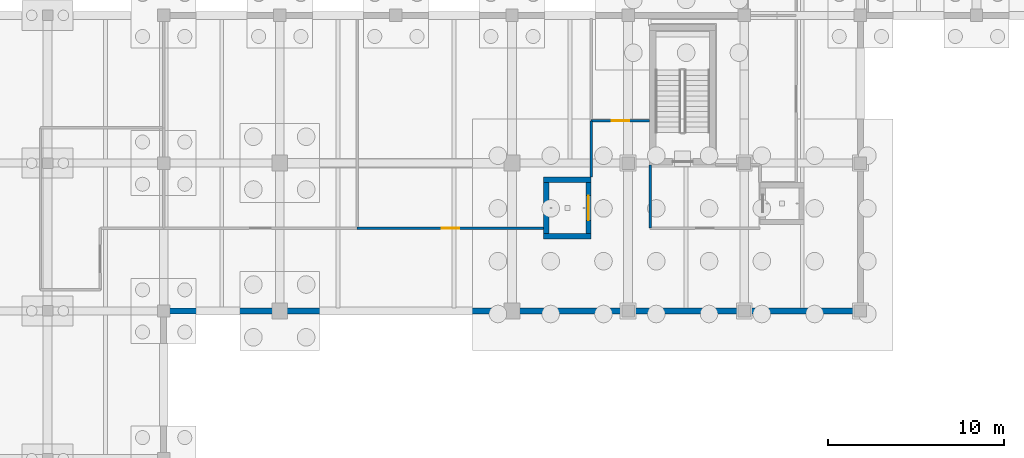
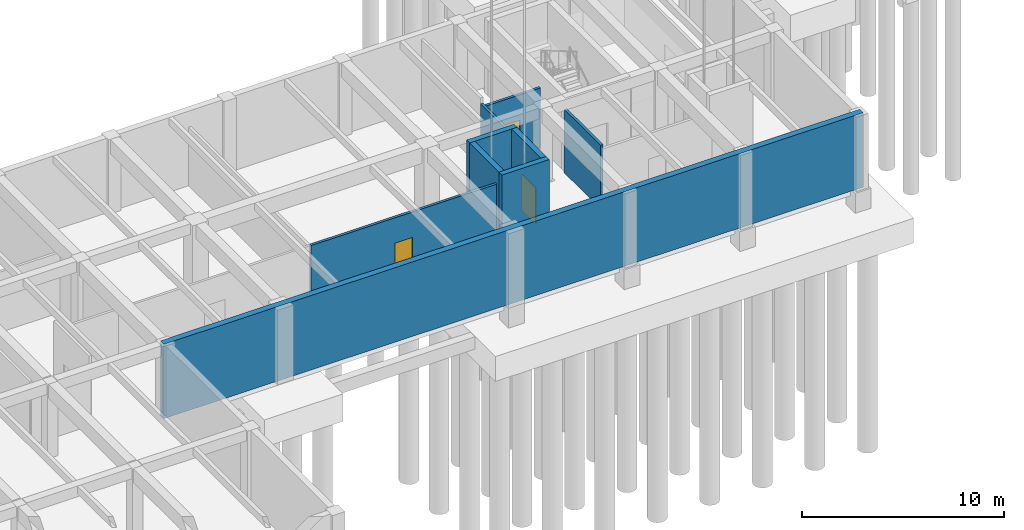
# One storey, part 34 of 44: 9 walls, 3 doors, 3 openings.
"""IFC4 building model written with IfcOpenShell, lengths in metres."""

from ifc_helpers import new_model, si_unit, direction, frame, frame_2d, origin, place, context, subcontext, project, spatial, rectangle, extrude, material, layer, layer_set, type_object, element, fill, save


model = new_model("IFC4")

# Units and contexts
model_context = context("Model", 3, precision=1e-05, world=origin(), true_north=direction((0.0, 1.0)))
body_context = subcontext(model_context, "Body", "Model", "MODEL_VIEW")
ifc_project = project(units=[si_unit("LENGTHUNIT", "METRE"), si_unit("AREAUNIT", "SQUARE_METRE"), si_unit("VOLUMEUNIT", "CUBIC_METRE"), si_unit("PLANEANGLEUNIT", "RADIAN"), si_unit("MASSUNIT", "GRAM", prefix="KILO")], contexts=[model_context])

# Site, building, storey
site_placement = place(None, origin())
site = spatial("IfcSite", under=ifc_project, at=site_placement, CompositionType="ELEMENT")
building_placement = place(site_placement, origin())
building = spatial("IfcBuilding", under=site, at=building_placement, Name="Kolvaren Faculty of Natural Sciences", CompositionType="ELEMENT")
storey_placement = place(building_placement, frame((0.0, 0.0, -4.5)))
storey = spatial("IfcBuildingStorey", under=building, at=storey_placement, Name="B01", CompositionType="ELEMENT", Elevation=-4.5)

# Walls
ifc_material_1 = material(Name="Concrete C35/45", Category="concrete")
ifc_layer_1 = layer(ifc_material_1, 0.35009765625)
ifc_layer_set_1 = layer_set([ifc_layer_1], Name="Concrete C35/45")
wall_type_1 = type_object("IfcWallType", Name="BasementRetainingWall_350", PredefinedType="SOLIDWALL", material=ifc_layer_set_1)
wall_1_placement = place(storey_placement, frame((99.02490234375, 25.39990234375, 0.0), z_axis=(0.0, 0.0, 1.0), x_axis=(1.0, 0.0, 0.0)))
element("IfcWall", 1, at=wall_1_placement, inside=storey, type_object=wall_type_1, Name="B01 perimeter reinforced concrete retaining wall 13", PredefinedType="SOLIDWALL", context=body_context, shape_type="SweptSolid", body=[
    extrude(rectangle(XDim=39.9501953125, YDim=0.35009765625, at=frame_2d((19.97509765625, 0.0))), origin(), (0.0, 0.0, 1.0), 4.5),
])
ifc_material_2 = material(Name="Double fire-rated gypsum board on 100 mm steel stud", Category="steel")
ifc_layer_2 = layer(ifc_material_2, 0.14990234375)
ifc_layer_set_2 = layer_set([ifc_layer_2], Name="Double fire-rated gypsum board on 100 mm steel stud")
wall_type_2 = type_object("IfcWallType", Name="RatedCorridorWall_150", PredefinedType="PARTITIONING", material=ifc_layer_set_2)
wall_2_placement = place(storey_placement, frame((126.85009765625, 30.10009765625, 0.0), z_axis=(0.0, 0.0, 1.0), x_axis=(0.0, 1.0, 0.0)))
element("IfcWall", 2, at=wall_2_placement, inside=storey, type_object=wall_type_2, Name="B01 interior partition LW-150", PredefinedType="PARTITIONING", context=body_context, shape_type="SweptSolid", body=[
    extrude(rectangle(XDim=3.597900390625, YDim=0.14990234375, at=frame_2d((1.798828125, 0.0))), origin(), (0.0, 0.0, 1.0), 3.8349609375),
])
wall_3_placement = place(storey_placement, frame((123.5, 36.199951171875, 0.0), z_axis=(0.0, 0.0, 1.0), x_axis=(0.0, -1.0, 0.0)))
element("IfcWall", 3, at=wall_3_placement, inside=storey, type_object=wall_type_2, Name="B01 interior partition LW-150", PredefinedType="PARTITIONING", context=body_context, shape_type="SweptSolid", body=[
    extrude(rectangle(XDim=3.197998046875, YDim=0.14990234375, at=frame_2d((1.59912109375, 0.0))), origin(), (0.0, 0.0, 1.0), 3.8349609375),
])

# Wall, opening, door
wall_4_placement = place(storey_placement, frame((120.798095703125, 30.10009765625, 0.0), z_axis=(0.0, 0.0, 1.0), x_axis=(-1.0, 0.0, 0.0)))
wall_4 = element("IfcWall", 4, at=wall_4_placement, inside=storey, type_object=wall_type_2, Name="B01 interior partition LW-150", PredefinedType="PARTITIONING", context=body_context, shape_type="SweptSolid", body=[
    extrude(rectangle(XDim=10.59814453125, YDim=0.14990234375, at=frame_2d((5.299072265625, 0.0))), origin(), (0.0, 0.0, 1.0), 3.635009765625),
])
opening_1_placement = place(wall_4_placement, frame((4.799072265625, 0.0, 0.0)))
opening_1 = element("IfcOpeningElement", 5, at=opening_1_placement, cuts=wall_4, Name="Opening FD30", PredefinedType="OPENING", context=body_context, shape_type="SweptSolid", body=[
    extrude(rectangle(XDim=1.0, YDim=2.10009765625, at=frame_2d((0.5, 1.050048828125))), frame((0.0, 0.0849609375, 0.0), z_axis=(0.0, -1.0, 0.0), x_axis=(1.0, 0.0, 0.0)), (0.0, 0.0, 1.0), 0.169921875),
])
ifc_material_3 = material(Name="Fire-rated solid-core hardwood door leaf in steel frame", Category="steel")
door_type_1 = type_object("IfcDoorType", Name="CorridorFireDoor_1000x2100", OperationType="NOTDEFINED", PredefinedType="DOOR", material=ifc_material_3)
door_1_placement = place(opening_1_placement, origin())
door_1 = element("IfcDoor", 6, at=door_1_placement, inside=storey, type_object=door_type_1, Name="D-B01-0005", OperationType="SINGLE_SWING_LEFT", OverallHeight=2.10009765625, OverallWidth=1.0, PredefinedType="DOOR", context=body_context, shape_type="SweptSolid", body=[
    extrude(rectangle(XDim=1.0, YDim=2.10009765625, at=frame_2d((0.5, 1.050048828125))), frame((0.0, 0.02490234375, 0.0), z_axis=(0.0, -1.0, 0.0), x_axis=(1.0, 0.0, 0.0)), (0.0, 0.0, 1.0), 0.050048828125),
])
fill(opening_1, door_1)

wall_5_placement = place(storey_placement, frame((126.822998046875, 36.199951171875, 0.0), z_axis=(0.0, 0.0, 1.0), x_axis=(-1.0, 0.0, 0.0)))
wall_5 = element("IfcWall", 7, at=wall_5_placement, inside=storey, type_object=wall_type_2, Name="B01 interior partition LW-150", PredefinedType="PARTITIONING", context=body_context, shape_type="SweptSolid", body=[
    extrude(rectangle(XDim=3.322998046875, YDim=0.14990234375, at=frame_2d((1.66162109375, 0.0))), origin(), (0.0, 0.0, 1.0), 3.635009765625),
])
opening_2_placement = place(wall_5_placement, frame((1.16162109375, 0.0, 0.0)))
opening_2 = element("IfcOpeningElement", 8, at=opening_2_placement, cuts=wall_5, Name="Opening FD30", PredefinedType="OPENING", context=body_context, shape_type="SweptSolid", body=[
    extrude(rectangle(XDim=1.0, YDim=2.10009765625, at=frame_2d((0.5, 1.050048828125))), frame((0.0, 0.0849609375, 0.0), z_axis=(0.0, -1.0, 0.0), x_axis=(1.0, 0.0, 0.0)), (0.0, 0.0, 1.0), 0.169921875),
])
door_2_placement = place(opening_2_placement, origin())
door_2 = element("IfcDoor", 9, at=door_2_placement, inside=storey, type_object=door_type_1, Name="D-B01-0006", OperationType="SINGLE_SWING_RIGHT", OverallHeight=2.10009765625, OverallWidth=1.0, PredefinedType="DOOR", context=body_context, shape_type="SweptSolid", body=[
    extrude(rectangle(XDim=1.0, YDim=2.10009765625, at=frame_2d((0.5, 1.050048828125))), frame((0.0, 0.02490234375, 0.0), z_axis=(0.0, -1.0, 0.0), x_axis=(1.0, 0.0, 0.0)), (0.0, 0.0, 1.0), 0.050048828125),
])
fill(opening_2, door_2)

# Walls
ifc_material_4 = material(Name="Concrete C40/50", Category="concrete")
ifc_layer_3 = layer(ifc_material_4, 0.300048828125)
ifc_layer_set_3 = layer_set([ifc_layer_3], Name="Concrete C40/50")
wall_type_3 = type_object("IfcWallType", Name="ShaftShearWall_300", PredefinedType="SHEAR", material=ifc_layer_set_3)
for number, where, z_axis, x_axis, name in (
    (10, (120.800048828125, 29.64990234375, -0.820068359375), (0.0, 0.0, 1.0), (1.0, 0.0, 0.0), "B01 lift GL-1 shaft wall S"),
    (11, (120.800048828125, 32.85009765625, -0.820068359375), (0.0, 0.0, 1.0), (1.0, 0.0, 0.0), "B01 lift GL-1 shaft wall N"),
):
    element("IfcWall", number, at=place(storey_placement, frame(where, z_axis=z_axis, x_axis=x_axis)), inside=storey, type_object=wall_type_3, Name=name, PredefinedType="SHEAR", context=body_context, shape_type="SweptSolid", body=[
        extrude(rectangle(XDim=2.699951171875, YDim=0.300048828125, at=frame_2d((1.35009765625, 0.0))), origin(), (0.0, 0.0, 1.0), 5.320068359375),
    ])
wall_6_placement = place(storey_placement, frame((120.949951171875, 29.800048828125, -0.820068359375), z_axis=(0.0, 0.0, 1.0), x_axis=(0.0, 1.0, 0.0)))
element("IfcWall", 12, at=wall_6_placement, inside=storey, type_object=wall_type_3, Name="B01 lift GL-1 shaft wall W", PredefinedType="SHEAR", context=body_context, shape_type="SweptSolid", body=[
    extrude(rectangle(XDim=2.89990234375, YDim=0.300048828125, at=frame_2d((1.449951171875, 0.0))), origin(), (0.0, 0.0, 1.0), 5.320068359375),
])

# Wall, opening, door
wall_7_placement = place(storey_placement, frame((123.35009765625, 29.800048828125, -0.820068359375), z_axis=(0.0, 0.0, 1.0), x_axis=(0.0, 1.0, 0.0)))
wall_7 = element("IfcWall", 13, at=wall_7_placement, inside=storey, type_object=wall_type_3, Name="B01 lift GL-1 shaft wall E", PredefinedType="SHEAR", context=body_context, shape_type="SweptSolid", body=[
    extrude(rectangle(XDim=2.89990234375, YDim=0.300048828125, at=frame_2d((1.449951171875, 0.0))), origin(), (0.0, 0.0, 1.0), 5.320068359375),
])
opening_3_placement = place(wall_7_placement, frame((0.75, 0.0, 0.820068359375)))
opening_3 = element("IfcOpeningElement", 14, at=opening_3_placement, cuts=wall_7, Name="Opening LD-03", PredefinedType="OPENING", context=body_context, shape_type="SweptSolid", body=[
    extrude(rectangle(XDim=1.39990234375, YDim=2.199951171875, at=frame_2d((0.699951171875, 1.10009765625))), frame((0.0, 0.159912109375, 0.0), z_axis=(0.0, -1.0, 0.0), x_axis=(1.0, 0.0, 0.0)), (0.0, 0.0, 1.0), 0.320068359375),
])
ifc_material_5 = material(Name="Brushed stainless steel lift car and sliding door assembly", Category="steel")
door_type_2 = type_object("IfcDoorType", Name="GoodsLiftSliding_1400x2200", OperationType="DOUBLE_DOOR_SLIDING", PredefinedType="DOOR", material=ifc_material_5)
door_3_placement = place(opening_3_placement, origin())
door_3 = element("IfcDoor", 15, at=door_3_placement, inside=storey, type_object=door_type_2, Name="D-LIFT-GL-1-B01", OperationType="DOUBLE_DOOR_SLIDING", OverallHeight=2.199951171875, OverallWidth=1.39990234375, PredefinedType="DOOR", context=body_context, shape_type="SweptSolid", body=[
    extrude(rectangle(XDim=1.39990234375, YDim=2.199951171875, at=frame_2d((0.699951171875, 1.10009765625))), frame((0.0, 0.02490234375, 0.0), z_axis=(0.0, -1.0, 0.0), x_axis=(1.0, 0.0, 0.0)), (0.0, 0.0, 1.0), 0.050048828125),
])
fill(opening_3, door_3)

save(model, "model.ifc")
